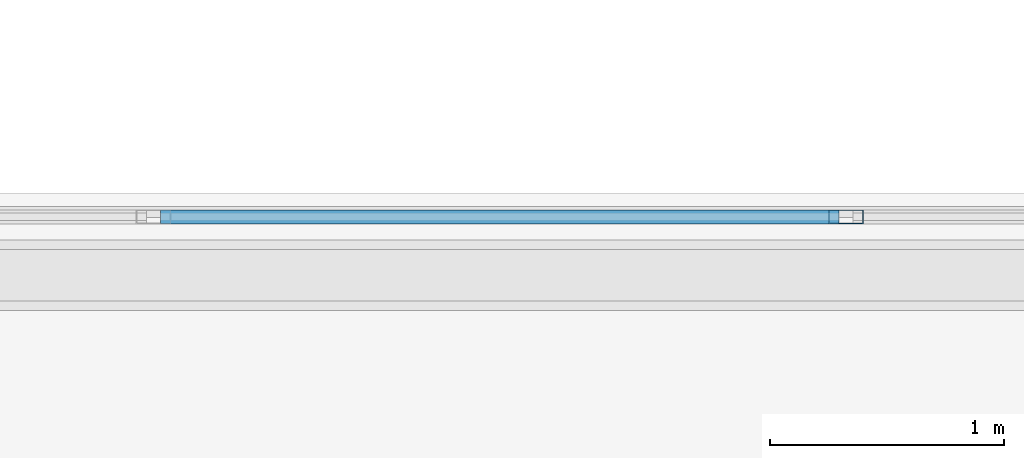
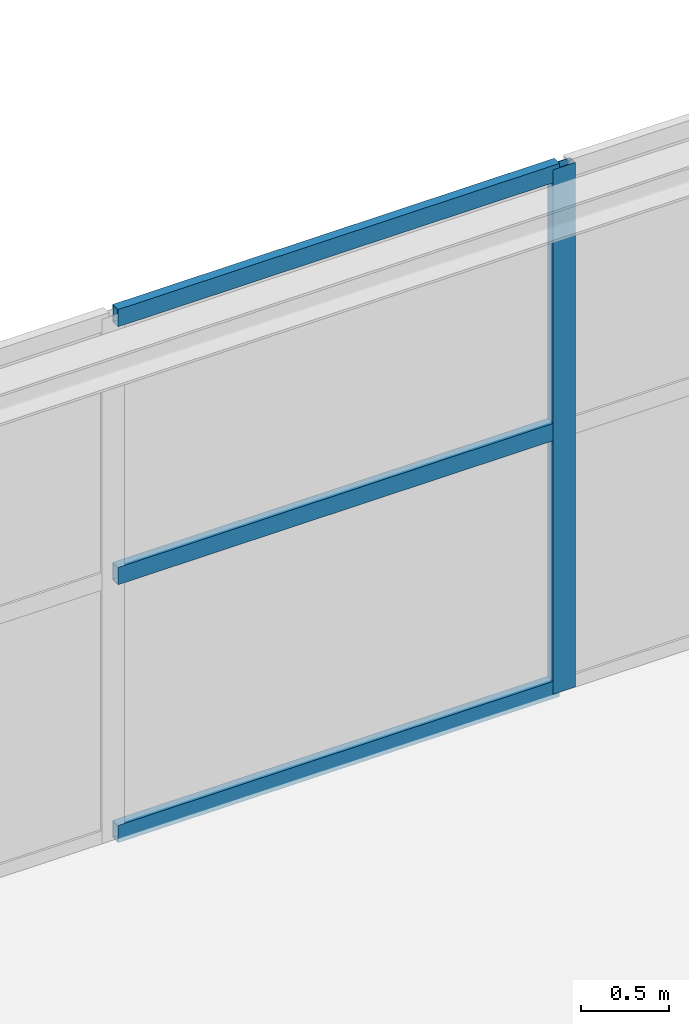
# One storey, part 75 of 175: 4 members, 1 element without a shape of its own.
"""IFC4 building model written with IfcOpenShell, lengths in metres."""

from ifc_helpers import new_model, si_unit, direction, frame, origin, origin_2d, place, context, subcontext, project, spatial, hollow_rectangle, extrude, material, layer, layer_set, material_profile, profile_set, type_object, element, aggregate, save


model = new_model("IFC4")

# Units and contexts
model_context = context("Model", 3, precision=1e-05, world=origin(), true_north=direction((0.0, 1.0)))
body_context = subcontext(model_context, "Body", "Model", "MODEL_VIEW")
ifc_project = project(units=[si_unit("LENGTHUNIT", "METRE"), si_unit("AREAUNIT", "SQUARE_METRE"), si_unit("VOLUMEUNIT", "CUBIC_METRE"), si_unit("PLANEANGLEUNIT", "RADIAN"), si_unit("MASSUNIT", "GRAM", prefix="KILO")], contexts=[model_context])

# Site, building, storey
site_placement = place(None, origin())
site = spatial("IfcSite", under=ifc_project, at=site_placement, CompositionType="ELEMENT")
building_placement = place(site_placement, origin())
building = spatial("IfcBuilding", under=site, at=building_placement, Name="Zizhar Promenade General Hospital", CompositionType="ELEMENT")
storey_placement = place(building_placement, frame((0.0, 0.0, 4.800048828125)))
storey = spatial("IfcBuildingStorey", under=building, at=storey_placement, Name="L01", CompositionType="ELEMENT", Elevation=4.800048828125)

# Curtain wall, members
ifc_material_1 = material(Name="Anodised aluminium 6063-T6 and low-E glass", Category="aluminium")
ifc_layer = layer(ifc_material_1, 0.159912109375)
ifc_layer_set = layer_set([ifc_layer], Name="Anodised aluminium 6063-T6 and low-E glass")
curtain_wall_type = type_object("IfcCurtainWallType", Name="CW-SKY-GLZ", PredefinedType="NOTDEFINED", material=ifc_layer_set)
curtain_wall_placement = place(storey_placement, origin())
curtain_wall = element("IfcCurtainWall", 1, at=curtain_wall_placement, inside=storey, type_object=curtain_wall_type, Name="Courtyard Clinical Skybridge Level L01 North Glazing 2", PredefinedType="NOTDEFINED")
ifc_material_2 = material(Name="Anodised aluminium 6063-T6", Category="aluminium")
ifc_material_profile_1 = material_profile(ifc_material_2, hollow_rectangle(XDim=0.06005859375, YDim=0.14990234375, WallThickness=0.00390625, at=origin_2d()))
ifc_profile_set_1 = profile_set([ifc_material_profile_1], Name="Anodised aluminium 6063-T6")
member_type_1 = type_object("IfcMemberType", Name="CWM-ALU-150x60", PredefinedType="MULLION", material=ifc_profile_set_1)
member_1_placement = place(storey_placement, frame((92.1201171875, 65.89990234375, 0.0), z_axis=(0.0, 0.0, 1.0), x_axis=(0.0, 1.0, 0.0)))
member_1 = element("IfcMember", 2, at=member_1_placement, type_object=member_type_1, Name="CW-15 mullion 3", PredefinedType="MULLION", context=body_context, shape_type="SweptSolid", body=[
    extrude(hollow_rectangle(XDim=0.06005859375, YDim=0.14990234375, WallThickness=0.00390625, at=origin_2d()), origin(), (0.0, 0.0, 1.0), 3.639892578125),
])
ifc_material_3 = material(Name="Anodised aluminium 6063-T6", Category="aluminium")
ifc_material_profile_2 = material_profile(ifc_material_3, hollow_rectangle(XDim=0.06005859375, YDim=0.1201171875, WallThickness=0.00390625, at=origin_2d()))
ifc_profile_set_2 = profile_set([ifc_material_profile_2], Name="Anodised aluminium 6063-T6")
member_type_2 = type_object("IfcMemberType", Name="CWT-ALU-120x60", PredefinedType="USERDEFINED", material=ifc_profile_set_2)
member_2_placement = place(storey_placement, frame((89.18994140625, 65.89990234375, 0.030029296875), z_axis=(1.0, 0.0, 0.0), x_axis=(0.0, 1.0, 0.0)))
member_2 = element("IfcMember", 3, at=member_2_placement, type_object=member_type_2, Name="CW-15 transom 2.1", ObjectType="TRANSOM", PredefinedType="USERDEFINED", context=body_context, shape_type="SweptSolid", body=[
    extrude(hollow_rectangle(XDim=0.06005859375, YDim=0.1201171875, WallThickness=0.00390625, at=origin_2d()), origin(), (0.0, 0.0, 1.0), 2.900146484375),
])
member_3_placement = place(storey_placement, frame((89.18994140625, 65.89990234375, 1.820068359375), z_axis=(1.0, 0.0, 0.0), x_axis=(0.0, 1.0, 0.0)))
member_3 = element("IfcMember", 4, at=member_3_placement, type_object=member_type_2, Name="CW-15 transom 2.2", ObjectType="TRANSOM", PredefinedType="USERDEFINED", context=body_context, shape_type="SweptSolid", body=[
    extrude(hollow_rectangle(XDim=0.06005859375, YDim=0.1201171875, WallThickness=0.00390625, at=origin_2d()), origin(), (0.0, 0.0, 1.0), 2.900146484375),
])
member_4_placement = place(storey_placement, frame((89.18994140625, 65.89990234375, 3.60986328125), z_axis=(1.0, 0.0, 0.0), x_axis=(0.0, 1.0, 0.0)))
member_4 = element("IfcMember", 5, at=member_4_placement, type_object=member_type_2, Name="CW-15 transom 2.3", ObjectType="TRANSOM", PredefinedType="USERDEFINED", context=body_context, shape_type="SweptSolid", body=[
    extrude(hollow_rectangle(XDim=0.06005859375, YDim=0.1201171875, WallThickness=0.00390625, at=origin_2d()), origin(), (0.0, 0.0, 1.0), 2.900146484375),
])
aggregate(curtain_wall, [member_1, member_2, member_3, member_4])

save(model, "model.ifc")
